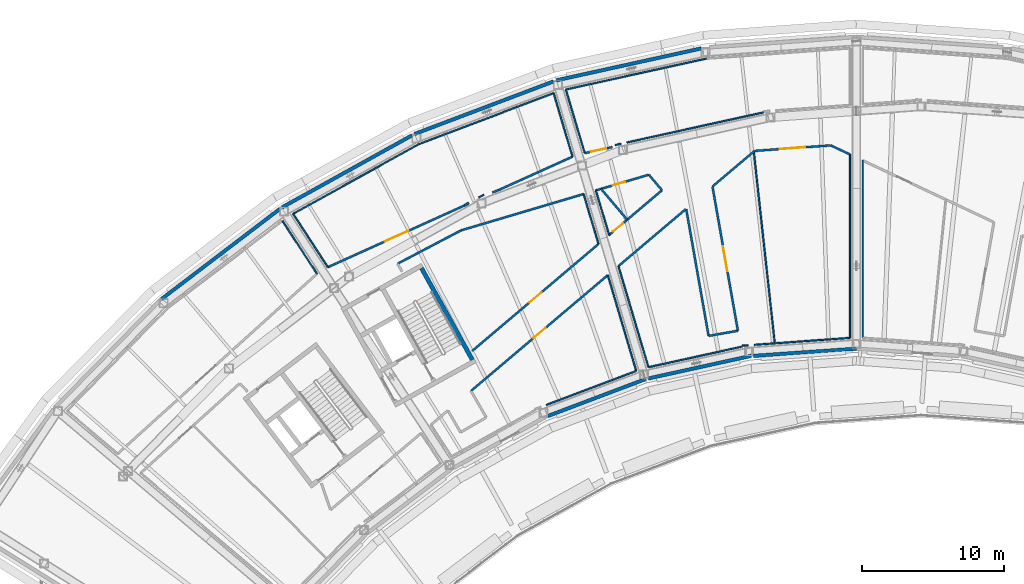
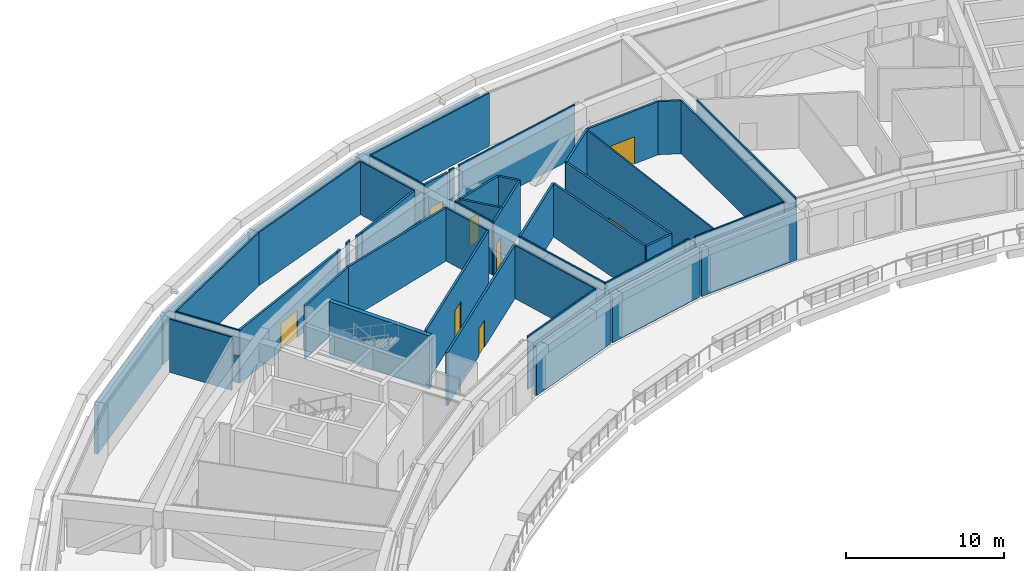
# One storey, part 8 of 24: 49 walls, 8 doors, 8 openings.
"""IFC4 building model written with IfcOpenShell, lengths in metres."""

import ifcopenshell
import ifcopenshell.guid

model = None  # the IFC model being written
_history = None  # IfcOwnerHistory: only IFC2X3 demands one
_inside = {}  # id of a spatial element -> (the spatial element, [elements in it])
_under = {}  # id of a project, library or spatial element -> (it, [spatial elements below it])
_declared = {}  # id of a project -> (the project, [libraries it declares])
_typed = {}  # id of a type object -> (the type object, [elements of that type])
_made_of = {}  # id of a material, layer set ... -> (it, [elements and type objects made of it])


def new_model(schema):
    """Start an empty IFC model of exactly this schema.

    Asked for "IFC4X3", IfcOpenShell would pick the latest addendum, in which some entities
    have other attributes; the version numbers below select the first issue.
    IFC2X3 requires an IfcOwnerHistory on every rooted entity: one is made here for all.
    """
    global model, _history
    if schema == "IFC4X3":
        model = ifcopenshell.file(schema_version=(4, 3, 0, 0))
    else:
        model = ifcopenshell.file(schema=schema)
    _inside.clear()
    _under.clear()
    _declared.clear()
    _typed.clear()
    _made_of.clear()
    _history = None
    if model.schema == "IFC2X3":
        org = make("IfcOrganization", Name="unknown")
        user = make(
            "IfcPersonAndOrganization",
            ThePerson=make("IfcPerson", FamilyName="unknown"),
            TheOrganization=org,
        )
        app = make(
            "IfcApplication",
            ApplicationDeveloper=org,
            Version="unknown",
            ApplicationFullName="unknown",
            ApplicationIdentifier="unknown",
        )
        _history = make(
            "IfcOwnerHistory",
            OwningUser=user,
            OwningApplication=app,
            ChangeAction="ADDED",
            CreationDate=0,
        )
    return model


def make(cls, **values):
    """One entity of the class cls with the attributes given. An attribute that is None is left unset."""
    return model.create_entity(
        cls, **{name: value for name, value in values.items() if value is not None}
    )


def rooted(cls, **values):
    """An entity with a GlobalId (a new one), such as an element, a storey or a relation."""
    return make(cls, GlobalId=ifcopenshell.guid.new(), OwnerHistory=_history, **values)


def si_unit(unit_type, name, prefix=None):
    """IfcSIUnit, for example si_unit("LENGTHUNIT", "METRE", prefix="MILLI")."""
    return make("IfcSIUnit", UnitType=unit_type, Prefix=prefix, Name=name)


def assignment(units):
    """IfcUnitAssignment: the units of a project."""
    return None if units is None else make("IfcUnitAssignment", Units=units)


def point(xyz):
    """IfcCartesianPoint."""
    return None if xyz is None else make("IfcCartesianPoint", Coordinates=xyz)


def direction(xyz):
    """IfcDirection."""
    return None if xyz is None else make("IfcDirection", DirectionRatios=xyz)


def frame(location, z_axis=None, x_axis=None):
    """IfcAxis2Placement3D, a coordinate frame: its origin and axes. An axis left out is left unset."""
    return make(
        "IfcAxis2Placement3D",
        Location=point(location),
        Axis=direction(z_axis),
        RefDirection=direction(x_axis),
    )


def frame_2d(location, x_axis=None):
    """IfcAxis2Placement2D, a coordinate frame in the plane: its origin and x axis."""
    return make(
        "IfcAxis2Placement2D", Location=point(location), RefDirection=direction(x_axis)
    )


def origin():
    """The frame at (0, 0, 0) with its axes left unset."""
    return frame((0.0, 0.0, 0.0))


def place(relative_to, where):
    """IfcLocalPlacement: puts the frame where relative to a parent placement (None: the world)."""
    return make(
        "IfcLocalPlacement", PlacementRelTo=relative_to, RelativePlacement=where
    )


def context(
    kind, dimensions, precision=None, world=None, true_north=None, identifier=None
):
    """IfcGeometricRepresentationContext, for example the 3D "Model" context."""
    return make(
        "IfcGeometricRepresentationContext",
        ContextIdentifier=identifier,
        ContextType=kind,
        CoordinateSpaceDimension=dimensions,
        Precision=precision,
        WorldCoordinateSystem=world,
        TrueNorth=true_north,
    )


def subcontext(parent, identifier, kind, view, scale=None):
    """IfcGeometricRepresentationSubContext, for example "Body" below "Model"."""
    return make(
        "IfcGeometricRepresentationSubContext",
        ContextIdentifier=identifier,
        ContextType=kind,
        ParentContext=parent,
        TargetScale=scale,
        TargetView=view,
    )


def project(units=None, contexts=None):
    """IfcProject with its units and contexts."""
    return rooted(
        "IfcProject",
        Name="project",
        RepresentationContexts=contexts,
        UnitsInContext=assignment(units),
    )


def spatial(cls, under=None, at=None, **own):
    """A site, building, storey or space (cls), placed at a placement, below another one or the project."""
    s = rooted(cls, ObjectPlacement=at, **own)
    if under is not None:
        _under.setdefault(under.id(), (under, []))[1].append(s)
    return s


def profile(cls, at=None, kind="AREA", **sizes):
    """A parametric profile (cls). Its sizes go by their IFC names, for example OverallWidth=200.0."""
    return make(cls, ProfileType=kind, Position=at, **sizes)


def rectangle(**sizes):
    """IfcRectangleProfileDef."""
    return profile("IfcRectangleProfileDef", **sizes)


def extrude(swept, where, along, depth):
    """IfcExtrudedAreaSolid: the profile swept, set in the frame where, extruded along a direction by depth."""
    return make(
        "IfcExtrudedAreaSolid",
        SweptArea=swept,
        Position=where,
        ExtrudedDirection=direction(along),
        Depth=depth,
    )


def shape(context_of_items, identifier, shape_type, items):
    """IfcShapeRepresentation: the items that make up one representation, for example the "Body"."""
    return make(
        "IfcShapeRepresentation",
        ContextOfItems=context_of_items,
        RepresentationIdentifier=identifier,
        RepresentationType=shape_type,
        Items=items,
    )


def material(Name=None, Category=None):
    """IfcMaterial."""
    return make("IfcMaterial", Name=Name, Category=Category)


def layer(
    of_material, thickness, ventilated=None, Name=None, Category=None, Priority=None
):
    """IfcMaterialLayer: one layer of a wall or slab, of a material (None: an air gap)."""
    return make(
        "IfcMaterialLayer",
        Material=of_material,
        LayerThickness=thickness,
        IsVentilated=ventilated,
        Name=Name,
        Category=Category,
        Priority=Priority,
    )


def layer_set(layers, Name=None):
    """IfcMaterialLayerSet."""
    return make("IfcMaterialLayerSet", MaterialLayers=layers, LayerSetName=Name)


def made_of(thing, what):
    """Note that an element or type object is made of a material, layer set ...; save() writes the relation."""
    if what is not None:
        _made_of.setdefault(what.id(), (what, []))[1].append(thing)
    return thing


def type_object(cls, material=None, **own):
    """A type object (cls), such as IfcWallType, which elements share."""
    return made_of(rooted(cls, **own), material)


def element(
    cls,
    number,
    at=None,
    inside=None,
    cuts=None,
    type_object=None,
    material=None,
    context=None,
    identifier="Body",
    shape_type=None,
    held_by="IfcProductDefinitionShape",
    body=None,
    shapes=None,
    **own,
):
    """One element of the class cls, such as IfcWall. Its Tag is "e" and its number.

    at: its placement. inside: the storey or other place that contains it. cuts: it is an
    opening in that element (IfcRelVoidsElement). A single representation is given by context,
    identifier, shape_type and body (its items); several are given by shapes. held_by: the class
    of the entity that holds the representations. save() writes the other relations.
    """
    e = rooted(cls, Tag="e%d" % number, ObjectPlacement=at, **own)
    if body is not None:
        shapes = [shape(context, identifier, shape_type, body)]
    if shapes is not None:
        e.Representation = make(held_by, Representations=shapes)
    if inside is not None:
        _inside.setdefault(inside.id(), (inside, []))[1].append(e)
    if cuts is not None:
        rooted(
            "IfcRelVoidsElement", RelatingBuildingElement=cuts, RelatedOpeningElement=e
        )
    if type_object is not None:
        _typed.setdefault(type_object.id(), (type_object, []))[1].append(e)
    return made_of(e, material)


def fill(opening, filler):
    """IfcRelFillsElement: the door or window that sits in an opening."""
    return rooted(
        "IfcRelFillsElement",
        RelatingOpeningElement=opening,
        RelatedBuildingElement=filler,
    )


def aggregate(whole, parts):
    """IfcRelAggregates: a whole, such as a stair, and the parts it consists of."""
    return rooted("IfcRelAggregates", RelatingObject=whole, RelatedObjects=parts)


def save(model, path):
    """Write the relations noted so far, then the file.

    IfcRelAggregates (storeys below a building ...), IfcRelContainedInSpatialStructure (elements
    in a storey), IfcRelDefinesByType, IfcRelAssociatesMaterial and IfcRelDeclares: one each for
    every whole, place, type object, material and project.
    """
    for whole, parts in _under.values():
        aggregate(whole, parts)
    for where, things in _inside.values():
        rooted(
            "IfcRelContainedInSpatialStructure",
            RelatedElements=things,
            RelatingStructure=where,
        )
    for kind, things in _typed.values():
        rooted("IfcRelDefinesByType", RelatedObjects=things, RelatingType=kind)
    for what, things in _made_of.values():
        rooted("IfcRelAssociatesMaterial", RelatedObjects=things, RelatingMaterial=what)
    for by, libraries in _declared.values():
        rooted("IfcRelDeclares", RelatingContext=by, RelatedDefinitions=libraries)
    model.write(path)


model = new_model("IFC4")

# Units and contexts
model_context = context("Model", 3, precision=1e-05, world=origin(), true_north=direction((0.0, 1.0)))
body_context = subcontext(model_context, "Body", "Model", "MODEL_VIEW")
ifc_project = project(units=[si_unit("LENGTHUNIT", "METRE"), si_unit("AREAUNIT", "SQUARE_METRE"), si_unit("VOLUMEUNIT", "CUBIC_METRE"), si_unit("PLANEANGLEUNIT", "RADIAN"), si_unit("MASSUNIT", "GRAM", prefix="KILO")], contexts=[model_context])

# Site, building, storey
site_placement = place(None, origin())
site = spatial("IfcSite", under=ifc_project, at=site_placement, CompositionType="ELEMENT")
building_placement = place(site_placement, origin())
building = spatial("IfcBuilding", under=site, at=building_placement, Name="Tuul Gate Civic Tower", CompositionType="ELEMENT")
storey_placement = place(building_placement, frame((0.0, 0.0, 315.199951171875)))
storey = spatial("IfcBuildingStorey", under=building, at=storey_placement, Name="Plant and refuge floor 7", CompositionType="ELEMENT", Elevation=315.199951171875)

# Walls
ifc_material_1 = material(Name="Concrete C50/60", Category="concrete")
ifc_layer_1 = layer(ifc_material_1, 0.300048828125)
ifc_layer_set_1 = layer_set([ifc_layer_1], Name="Concrete C50/60")
wall_type_1 = type_object("IfcWallType", Name="Core wall C50/60", PredefinedType="SHEAR", material=ifc_layer_set_1)
wall_1_placement = place(storey_placement, frame((-24.91552734375, -8.6572265625, 0.0), z_axis=(0.0, 0.0, 1.0), x_axis=(-0.484777133038, 0.874637714304, 0.0)))
element("IfcWall", 1, at=wall_1_placement, inside=storey, type_object=wall_type_1, Name="Core wall", PredefinedType="SHEAR", context=body_context, shape_type="SweptSolid", body=[
    extrude(rectangle(XDim=7.400146484375, YDim=0.300048828125, at=frame_2d((3.7001953125, 0.0))), origin(), (0.0, 0.0, 1.0), 4.10009765625),
])
ifc_material_2 = material(Name="Gypsum board partition")
ifc_layer_2 = layer(ifc_material_2, 0.14990234375)
ifc_layer_set_2 = layer_set([ifc_layer_2], Name="Gypsum board partition")
wall_type_2 = type_object("IfcWallType", Name="Corridor wall P150", PredefinedType="PARTITIONING", material=ifc_layer_set_2)
wall_2_placement = place(storey_placement, frame((-15.833251953125, 3.416015625, 0.0), z_axis=(0.0, 0.0, 1.0), x_axis=(0.646129557945, -0.763227747366, 0.0)))
element("IfcWall", 2, at=wall_2_placement, inside=storey, type_object=wall_type_2, Name="p019", PredefinedType="PARTITIONING", context=body_context, shape_type="SweptSolid", body=[
    extrude(rectangle(XDim=2.862548828125, YDim=0.14990234375, at=frame_2d((1.43115234375, 0.0))), origin(), (0.0, 0.0, 1.0), 4.10009765625),
])
wall_3_placement = place(storey_placement, frame((-25.708251953125, 0.480224609375, 0.0), z_axis=(0.0, 0.0, 1.0), x_axis=(0.958777360943, 0.284158357511, 0.0)))
element("IfcWall", 3, at=wall_3_placement, inside=storey, type_object=wall_type_2, Name="p020", PredefinedType="PARTITIONING", context=body_context, shape_type="SweptSolid", body=[
    extrude(rectangle(XDim=9.021240234375, YDim=0.14990234375, at=frame_2d((4.5107421875, 0.0))), origin(), (0.0, 0.0, 1.0), 4.10009765625),
])

# Wall, opening, door
wall_4_placement = place(storey_placement, frame((-16.224609375, 3.291015625, 0.0), z_axis=(0.0, 0.0, 1.0), x_axis=(0.958771174659, 0.28417922979, 0.0)))
wall_4 = element("IfcWall", 4, at=wall_4_placement, inside=storey, type_object=wall_type_2, Name="p021", PredefinedType="PARTITIONING", context=body_context, shape_type="SweptSolid", body=[
    extrude(rectangle(XDim=3.93212890625, YDim=0.14990234375, at=frame_2d((1.966064453125, 0.0))), origin(), (0.0, 0.0, 1.0), 4.10009765625),
])
opening_1_placement = place(wall_4_placement, frame((1.27294921875, 0.0, 0.0)))
opening_1 = element("IfcOpeningElement", 5, at=opening_1_placement, cuts=wall_4, Name="Opening PC-D04", PredefinedType="OPENING", context=body_context, shape_type="SweptSolid", body=[
    extrude(rectangle(XDim=0.89990234375, YDim=2.10009765625, at=frame_2d((0.449951171875, 1.050048828125))), frame((0.0, 0.0849609375, 0.0), z_axis=(0.0, -1.0, 0.0), x_axis=(1.0, 0.0, 0.0)), (0.0, 0.0, 1.0), 0.169921875),
])
ifc_material_3 = material(Name="Timber door leaf", Category="wood")
door_type_1 = type_object("IfcDoorType", Name="Door D09", OperationType="NOTDEFINED", PredefinedType="DOOR", material=ifc_material_3)
door_1_placement = place(opening_1_placement, origin())
door_1 = element("IfcDoor", 6, at=door_1_placement, inside=storey, type_object=door_type_1, Name="Door PC-D04", OperationType="SINGLE_SWING_RIGHT", OverallHeight=2.10009765625, OverallWidth=0.89990234375, PredefinedType="DOOR", context=body_context, shape_type="SweptSolid", body=[
    extrude(rectangle(XDim=0.89990234375, YDim=2.10009765625, at=frame_2d((0.449951171875, 1.050048828125))), frame((0.0, 0.02490234375, 0.0), z_axis=(0.0, -1.0, 0.0), x_axis=(1.0, 0.0, 0.0)), (0.0, 0.0, 1.0), 0.050048828125),
])
fill(opening_1, door_1)

# Wall
wall_5_placement = place(storey_placement, frame((-12.45458984375, 4.408447265625, 0.0), z_axis=(0.0, 0.0, 1.0), x_axis=(0.646147861395, -0.763212251745, 0.0)))
element("IfcWall", 7, at=wall_5_placement, inside=storey, type_object=wall_type_2, Name="p022", PredefinedType="PARTITIONING", context=body_context, shape_type="SweptSolid", body=[
    extrude(rectangle(XDim=1.43701171875, YDim=0.14990234375, at=frame_2d((0.718505859375, 0.0))), origin(), (0.0, 0.0, 1.0), 4.10009765625),
])

# Wall, opening, door
wall_6_placement = place(storey_placement, frame((-24.920654296875, -8.0283203125, 0.0), z_axis=(0.0, 0.0, 1.0), x_axis=(0.763214156963, 0.646145610997, 0.0)))
wall_6 = element("IfcWall", 8, at=wall_6_placement, inside=storey, type_object=wall_type_2, Name="p023", PredefinedType="PARTITIONING", context=body_context, shape_type="SweptSolid", body=[
    extrude(rectangle(XDim=11.676513671875, YDim=0.14990234375, at=frame_2d((5.83837890625, 0.0))), origin(), (0.0, 0.0, 1.0), 4.10009765625),
])
opening_2_placement = place(wall_6_placement, frame((5.2880859375, 0.0, 0.0)))
opening_2 = element("IfcOpeningElement", 9, at=opening_2_placement, cuts=wall_6, Name="Opening PC-D17", PredefinedType="OPENING", context=body_context, shape_type="SweptSolid", body=[
    extrude(rectangle(XDim=1.10009765625, YDim=2.10009765625, at=frame_2d((0.550048828125, 1.050048828125))), frame((0.0, 0.0849609375, 0.0), z_axis=(0.0, -1.0, 0.0), x_axis=(1.0, 0.0, 0.0)), (0.0, 0.0, 1.0), 0.169921875),
])
ifc_material_4 = material(Name="Timber door leaf", Category="wood")
door_type_2 = type_object("IfcDoorType", Name="Door D11", OperationType="NOTDEFINED", PredefinedType="DOOR", material=ifc_material_4)
door_2_placement = place(opening_2_placement, origin())
door_2 = element("IfcDoor", 10, at=door_2_placement, inside=storey, type_object=door_type_2, Name="Door PC-D17", OperationType="SINGLE_SWING_RIGHT", OverallHeight=2.10009765625, OverallWidth=1.10009765625, PredefinedType="DOOR", context=body_context, shape_type="SweptSolid", body=[
    extrude(rectangle(XDim=1.10009765625, YDim=2.10009765625, at=frame_2d((0.550048828125, 1.050048828125))), frame((0.0, 0.02490234375, 0.0), z_axis=(0.0, -1.0, 0.0), x_axis=(1.0, 0.0, 0.0)), (0.0, 0.0, 1.0), 0.050048828125),
])
fill(opening_2, door_2)

wall_7_placement = place(storey_placement, frame((-15.2841796875, 0.130126953125, 0.0), z_axis=(0.0, 0.0, 1.0), x_axis=(0.763211353607, 0.646148922251, 0.0)))
wall_7 = element("IfcWall", 11, at=wall_7_placement, inside=storey, type_object=wall_type_2, Name="p024", PredefinedType="PARTITIONING", context=body_context, shape_type="SweptSolid", body=[
    extrude(rectangle(XDim=4.924072265625, YDim=0.14990234375, at=frame_2d((2.4619140625, 0.0))), origin(), (0.0, 0.0, 1.0), 4.10009765625),
])
opening_3_placement = place(wall_7_placement, frame((0.4013671875, 0.0, 0.0)))
opening_3 = element("IfcOpeningElement", 12, at=opening_3_placement, cuts=wall_7, Name="Opening PC-D21", PredefinedType="OPENING", context=body_context, shape_type="SweptSolid", body=[
    extrude(rectangle(XDim=0.89990234375, YDim=2.10009765625, at=frame_2d((0.449951171875, 1.050048828125))), frame((0.0, 0.0849609375, 0.0), z_axis=(0.0, -1.0, 0.0), x_axis=(1.0, 0.0, 0.0)), (0.0, 0.0, 1.0), 0.169921875),
])
door_3_placement = place(opening_3_placement, origin())
door_3 = element("IfcDoor", 13, at=door_3_placement, inside=storey, type_object=door_type_1, Name="Door PC-D21", OperationType="SINGLE_SWING_LEFT", OverallHeight=2.10009765625, OverallWidth=0.89990234375, PredefinedType="DOOR", context=body_context, shape_type="SweptSolid", body=[
    extrude(rectangle(XDim=0.89990234375, YDim=2.10009765625, at=frame_2d((0.449951171875, 1.050048828125))), frame((0.0, 0.02490234375, 0.0), z_axis=(0.0, -1.0, 0.0), x_axis=(1.0, 0.0, 0.0)), (0.0, 0.0, 1.0), 0.050048828125),
])
fill(opening_3, door_3)

# Wall
wall_8_placement = place(storey_placement, frame((0.39111328125, 6.475830078125, 0.0), z_axis=(0.0, 0.0, 1.0), x_axis=(0.904677843159, -0.426096233376, 0.0)))
element("IfcWall", 14, at=wall_8_placement, inside=storey, type_object=wall_type_2, Name="p043", PredefinedType="PARTITIONING", context=body_context, shape_type="SweptSolid", body=[
    extrude(rectangle(XDim=1.4931640625, YDim=0.14990234375, at=frame_2d((0.74658203125, 0.0))), origin(), (0.0, 0.0, 1.0), 4.10009765625),
])

# Wall, opening, door
wall_9_placement = place(storey_placement, frame((-24.997314453125, -10.844482421875, 0.0), z_axis=(0.0, 0.0, 1.0), x_axis=(0.763222801953, 0.646135399572, 0.0)))
wall_9 = element("IfcWall", 15, at=wall_9_placement, inside=storey, type_object=wall_type_2, Name="p049", PredefinedType="PARTITIONING", context=body_context, shape_type="SweptSolid", body=[
    extrude(rectangle(XDim=12.6337890625, YDim=0.14990234375, at=frame_2d((6.31689453125, 0.0))), origin(), (0.0, 0.0, 1.0), 4.10009765625),
])
opening_4_placement = place(wall_9_placement, frame((5.766845703125, 0.0, 0.0)))
opening_4 = element("IfcOpeningElement", 16, at=opening_4_placement, cuts=wall_9, Name="Opening PC-D15", PredefinedType="OPENING", context=body_context, shape_type="SweptSolid", body=[
    extrude(rectangle(XDim=1.10009765625, YDim=2.10009765625, at=frame_2d((0.550048828125, 1.050048828125))), frame((0.0, 0.0849609375, 0.0), z_axis=(0.0, -1.0, 0.0), x_axis=(1.0, 0.0, 0.0)), (0.0, 0.0, 1.0), 0.169921875),
])
door_4_placement = place(opening_4_placement, frame((1.10009765625, 0.0, 0.0), z_axis=(0.0, 0.0, 1.0), x_axis=(-1.0, 0.0, 0.0)))
door_4 = element("IfcDoor", 17, at=door_4_placement, inside=storey, type_object=door_type_2, Name="Door PC-D15", OperationType="SINGLE_SWING_LEFT", OverallHeight=2.10009765625, OverallWidth=1.10009765625, PredefinedType="DOOR", context=body_context, shape_type="SweptSolid", body=[
    extrude(rectangle(XDim=1.10009765625, YDim=2.10009765625, at=frame_2d((0.550048828125, 1.050048828125))), frame((0.0, 0.02490234375, 0.0), z_axis=(0.0, -1.0, 0.0), x_axis=(1.0, 0.0, 0.0)), (0.0, 0.0, 1.0), 0.050048828125),
])
fill(opening_4, door_4)

# Walls
wall_10_placement = place(storey_placement, frame((-14.60498046875, -2.04638671875, 0.0), z_axis=(0.0, 0.0, 1.0), x_axis=(0.763236255323, 0.646119507956, 0.0)))
element("IfcWall", 18, at=wall_10_placement, inside=storey, type_object=wall_type_2, Name="p050", PredefinedType="PARTITIONING", context=body_context, shape_type="SweptSolid", body=[
    extrude(rectangle(XDim=6.235107421875, YDim=0.14990234375, at=frame_2d((3.11767578125, 0.0))), origin(), (0.0, 0.0, 1.0), 4.10009765625),
])
wall_11_placement = place(storey_placement, frame((-7.95556640625, 3.5830078125, 0.0), z_axis=(0.0, 0.0, 1.0), x_axis=(0.763213996757, 0.64614580023, 0.0)))
element("IfcWall", 19, at=wall_11_placement, inside=storey, type_object=wall_type_2, Name="p051", PredefinedType="PARTITIONING", context=body_context, shape_type="SweptSolid", body=[
    extrude(rectangle(XDim=3.87060546875, YDim=0.14990234375, at=frame_2d((1.935302734375, 0.0))), origin(), (0.0, 0.0, 1.0), 4.10009765625),
])

# Wall, opening, door
wall_12_placement = place(storey_placement, frame((-4.989990234375, 6.088623046875, 0.0), z_axis=(0.0, 0.0, 1.0), x_axis=(0.997385459021, 0.072265110076, 0.0)))
wall_12 = element("IfcWall", 20, at=wall_12_placement, inside=storey, type_object=wall_type_2, Name="p052", PredefinedType="PARTITIONING", context=body_context, shape_type="SweptSolid", body=[
    extrude(rectangle(XDim=5.38525390625, YDim=0.14990234375, at=frame_2d((2.692626953125, 0.0))), origin(), (0.0, 0.0, 1.0), 4.10009765625),
])
opening_5_placement = place(wall_12_placement, frame((1.79248046875, 0.0, 0.0)))
opening_5 = element("IfcOpeningElement", 21, at=opening_5_placement, cuts=wall_12, Name="Opening PC-D12", PredefinedType="OPENING", context=body_context, shape_type="SweptSolid", body=[
    extrude(rectangle(XDim=1.800048828125, YDim=2.10009765625, at=frame_2d((0.89990234375, 1.050048828125))), frame((0.0, 0.0849609375, 0.0), z_axis=(0.0, -1.0, 0.0), x_axis=(1.0, 0.0, 0.0)), (0.0, 0.0, 1.0), 0.169921875),
])
ifc_material_5 = material(Name="Timber door leaf, double", Category="wood")
door_type_3 = type_object("IfcDoorType", Name="Door D18", OperationType="DOUBLE_DOOR_SINGLE_SWING", PredefinedType="DOOR", material=ifc_material_5)
door_5_placement = place(opening_5_placement, frame((1.800048828125, 0.0, 0.0), z_axis=(0.0, 0.0, 1.0), x_axis=(-1.0, 0.0, 0.0)))
door_5 = element("IfcDoor", 22, at=door_5_placement, inside=storey, type_object=door_type_3, Name="Door PC-D12", OperationType="DOUBLE_DOOR_SINGLE_SWING", OverallHeight=2.10009765625, OverallWidth=1.800048828125, PredefinedType="DOOR", context=body_context, shape_type="SweptSolid", body=[
    extrude(rectangle(XDim=1.800048828125, YDim=2.10009765625, at=frame_2d((0.900146484375, 1.050048828125))), frame((0.0, 0.02490234375, 0.0), z_axis=(0.0, -1.0, 0.0), x_axis=(1.0, 0.0, 0.0)), (0.0, 0.0, 1.0), 0.050048828125),
])
fill(opening_5, door_5)

# Walls
wall_13_placement = place(storey_placement, frame((-9.813720703125, 1.970458984375, 0.0), z_axis=(0.0, 0.0, 1.0), x_axis=(0.173631929645, -0.984810617839, 0.0)))
element("IfcWall", 23, at=wall_13_placement, inside=storey, type_object=wall_type_2, Name="p053", PredefinedType="PARTITIONING", context=body_context, shape_type="SweptSolid", body=[
    extrude(rectangle(XDim=9.0791015625, YDim=0.14990234375, at=frame_2d((4.53955078125, 0.0))), origin(), (0.0, 0.0, 1.0), 4.10009765625),
])
wall_14_placement = place(storey_placement, frame((-8.236572265625, -6.970947265625, 0.0), z_axis=(0.0, 0.0, 1.0), x_axis=(0.98480696824, 0.173652628272, 0.0)))
element("IfcWall", 24, at=wall_14_placement, inside=storey, type_object=wall_type_2, Name="p054", PredefinedType="PARTITIONING", context=body_context, shape_type="SweptSolid", body=[
    extrude(rectangle(XDim=2.09912109375, YDim=0.14990234375, at=frame_2d((1.049560546875, 0.0))), origin(), (0.0, 0.0, 1.0), 4.10009765625),
])

# Wall, opening, door
wall_15_placement = place(storey_placement, frame((-7.96240234375, 3.564208984375, 0.0), z_axis=(0.0, 0.0, 1.0), x_axis=(0.17364237606, -0.984808775974, 0.0)))
wall_15 = element("IfcWall", 25, at=wall_15_placement, inside=storey, type_object=wall_type_2, Name="p055", PredefinedType="PARTITIONING", context=body_context, shape_type="SweptSolid", body=[
    extrude(rectangle(XDim=10.3271484375, YDim=0.14990234375, at=frame_2d((5.16357421875, 0.0))), origin(), (0.0, 0.0, 1.0), 4.10009765625),
])
opening_6_placement = place(wall_15_placement, frame((4.263427734375, 0.0, 0.0)))
opening_6 = element("IfcOpeningElement", 26, at=opening_6_placement, cuts=wall_15, Name="Opening PC-D13", PredefinedType="OPENING", context=body_context, shape_type="SweptSolid", body=[
    extrude(rectangle(XDim=1.800048828125, YDim=2.10009765625, at=frame_2d((0.89990234375, 1.050048828125))), frame((0.0, 0.0849609375, 0.0), z_axis=(0.0, -1.0, 0.0), x_axis=(1.0, 0.0, 0.0)), (0.0, 0.0, 1.0), 0.169921875),
])
door_6_placement = place(opening_6_placement, origin())
door_6 = element("IfcDoor", 27, at=door_6_placement, inside=storey, type_object=door_type_3, Name="Door PC-D13", OperationType="DOUBLE_DOOR_SINGLE_SWING", OverallHeight=2.10009765625, OverallWidth=1.800048828125, PredefinedType="DOOR", context=body_context, shape_type="SweptSolid", body=[
    extrude(rectangle(XDim=1.800048828125, YDim=2.10009765625, at=frame_2d((0.89990234375, 1.050048828125))), frame((0.0, 0.02490234375, 0.0), z_axis=(0.0, -1.0, 0.0), x_axis=(1.0, 0.0, 0.0)), (0.0, 0.0, 1.0), 0.050048828125),
])
fill(opening_6, door_6)

# Wall
wall_16_placement = place(storey_placement, frame((-23.500244140625, 3.159423828125, 0.0), z_axis=(0.0, 0.0, 1.0), x_axis=(0.935295406252, 0.35386791751, 0.0)))
element("IfcWall", 28, at=wall_16_placement, inside=storey, type_object=wall_type_2, Name="p056", PredefinedType="PARTITIONING", context=body_context, shape_type="SweptSolid", body=[
    extrude(rectangle(XDim=0.4775390625, YDim=0.14990234375, at=frame_2d((0.23876953125, 0.0))), origin(), (0.0, 0.0, 1.0), 4.10009765625),
])

# Wall, opening, door
wall_17_placement = place(storey_placement, frame((-16.978271484375, 5.92822265625, 0.0), z_axis=(0.0, 0.0, 1.0), x_axis=(0.976109142149, 0.217280792094, 0.0)))
wall_17 = element("IfcWall", 29, at=wall_17_placement, inside=storey, type_object=wall_type_2, Name="p057", PredefinedType="PARTITIONING", context=body_context, shape_type="SweptSolid", body=[
    extrude(rectangle(XDim=1.9921875, YDim=0.14990234375, at=frame_2d((0.99609375, 0.0))), origin(), (0.0, 0.0, 1.0), 4.10009765625),
])
opening_7_placement = place(wall_17_placement, frame((0.446044921875, 0.0, 0.0)))
opening_7 = element("IfcOpeningElement", 30, at=opening_7_placement, cuts=wall_17, Name="Opening PC-D14", PredefinedType="OPENING", context=body_context, shape_type="SweptSolid", body=[
    extrude(rectangle(XDim=1.10009765625, YDim=2.10009765625, at=frame_2d((0.550048828125, 1.050048828125))), frame((0.0, 0.0849609375, 0.0), z_axis=(0.0, -1.0, 0.0), x_axis=(1.0, 0.0, 0.0)), (0.0, 0.0, 1.0), 0.169921875),
])
door_7_placement = place(opening_7_placement, origin())
door_7 = element("IfcDoor", 31, at=door_7_placement, inside=storey, type_object=door_type_2, Name="Door PC-D14", OperationType="SINGLE_SWING_LEFT", OverallHeight=2.10009765625, OverallWidth=1.10009765625, PredefinedType="DOOR", context=body_context, shape_type="SweptSolid", body=[
    extrude(rectangle(XDim=1.10009765625, YDim=2.10009765625, at=frame_2d((0.550048828125, 1.050048828125))), frame((0.0, 0.02490234375, 0.0), z_axis=(0.0, -1.0, 0.0), x_axis=(1.0, 0.0, 0.0)), (0.0, 0.0, 1.0), 0.050048828125),
])
fill(opening_7, door_7)

# Wall
wall_18_placement = place(storey_placement, frame((-25.481201171875, 2.2314453125, 0.0), z_axis=(0.0, 0.0, 1.0), x_axis=(0.874752344998, 0.484570257981, 0.0)))
element("IfcWall", 32, at=wall_18_placement, inside=storey, type_object=wall_type_2, Name="p062", PredefinedType="PARTITIONING", context=body_context, shape_type="SweptSolid", body=[
    extrude(rectangle(XDim=0.3671875, YDim=0.14990234375, at=frame_2d((0.18359375, 0.0))), origin(), (0.0, 0.0, 1.0), 4.10009765625),
])

# Wall, opening, door
wall_19_placement = place(storey_placement, frame((-35.1103515625, -2.119384765625, 0.0), z_axis=(0.0, 0.0, 1.0), x_axis=(0.911293140087, 0.411758197041, 0.0)))
wall_19 = element("IfcWall", 33, at=wall_19_placement, inside=storey, type_object=wall_type_2, Name="p063", PredefinedType="PARTITIONING", context=body_context, shape_type="SweptSolid", body=[
    extrude(rectangle(XDim=10.56640625, YDim=0.14990234375, at=frame_2d((5.283203125, 0.0))), origin(), (0.0, 0.0, 1.0), 4.10009765625),
])
opening_8_placement = place(wall_19_placement, frame((4.43310546875, 0.0, 0.0)))
opening_8 = element("IfcOpeningElement", 34, at=opening_8_placement, cuts=wall_19, Name="Opening PC-D16", PredefinedType="OPENING", context=body_context, shape_type="SweptSolid", body=[
    extrude(rectangle(XDim=1.800048828125, YDim=2.10009765625, at=frame_2d((0.89990234375, 1.050048828125))), frame((0.0, 0.0849609375, 0.0), z_axis=(0.0, -1.0, 0.0), x_axis=(1.0, 0.0, 0.0)), (0.0, 0.0, 1.0), 0.169921875),
])
door_8_placement = place(opening_8_placement, origin())
door_8 = element("IfcDoor", 35, at=door_8_placement, inside=storey, type_object=door_type_3, Name="Door PC-D16", OperationType="DOUBLE_DOOR_SINGLE_SWING", OverallHeight=2.10009765625, OverallWidth=1.800048828125, PredefinedType="DOOR", context=body_context, shape_type="SweptSolid", body=[
    extrude(rectangle(XDim=1.800048828125, YDim=2.10009765625, at=frame_2d((0.89990234375, 1.050048828125))), frame((0.0, 0.02490234375, 0.0), z_axis=(0.0, -1.0, 0.0), x_axis=(1.0, 0.0, 0.0)), (0.0, 0.0, 1.0), 0.050048828125),
])
fill(opening_8, door_8)

# Walls
wall_20_placement = place(storey_placement, frame((-23.0537109375, 3.328369140625, 0.0), z_axis=(0.0, 0.0, 1.0), x_axis=(0.911289969788, 0.411765213398, 0.0)))
element("IfcWall", 36, at=wall_20_placement, inside=storey, type_object=wall_type_2, Name="p064", PredefinedType="PARTITIONING", context=body_context, shape_type="SweptSolid", body=[
    extrude(rectangle(XDim=5.716796875, YDim=0.14990234375, at=frame_2d((2.8583984375, 0.0))), origin(), (0.0, 0.0, 1.0), 4.10009765625),
])
wall_21_placement = place(storey_placement, frame((-30.1767578125, -1.86474609375, 0.0), z_axis=(0.0, 0.0, 1.0), x_axis=(0.885441737103, 0.464750395585, 0.0)))
element("IfcWall", 37, at=wall_21_placement, inside=storey, type_object=wall_type_2, Name="p065", PredefinedType="PARTITIONING", context=body_context, shape_type="SweptSolid", body=[
    extrude(rectangle(XDim=5.04248046875, YDim=0.14990234375, at=frame_2d((2.521240234375, 0.0))), origin(), (0.0, 0.0, 1.0), 4.10009765625),
])
ifc_material_6 = material(Name="Precast concrete C40/50", Category="concrete")
ifc_layer_3 = layer(ifc_material_6, 0.25)
ifc_layer_set_3 = layer_set([ifc_layer_3], Name="Precast concrete C40/50")
wall_type_3 = type_object("IfcWallType", Name="External wall", PredefinedType="STANDARD", material=ifc_layer_set_3)
wall_22_placement = place(storey_placement, frame((-8.757080078125, 13.3232421875, 0.0), z_axis=(0.0, 0.0, 1.0), x_axis=(-0.97656531181, -0.215221262356, 0.0)))
element("IfcWall", 38, at=wall_22_placement, inside=storey, type_object=wall_type_3, Name="External wall", PredefinedType="STANDARD", context=body_context, shape_type="SweptSolid", body=[
    extrude(rectangle(XDim=10.468017578125, YDim=0.25, at=frame_2d((5.23388671875, 0.0))), origin(), (0.0, 0.0, 1.0), 3.75),
])
wall_23_placement = place(storey_placement, frame((-19.18505859375, 10.992431640625, 0.0), z_axis=(0.0, 0.0, 1.0), x_axis=(-0.935341215918, -0.353746815964, 0.0)))
element("IfcWall", 39, at=wall_23_placement, inside=storey, type_object=wall_type_3, Name="External wall", PredefinedType="STANDARD", context=body_context, shape_type="SweptSolid", body=[
    extrude(rectangle(XDim=10.489013671875, YDim=0.25, at=frame_2d((5.24462890625, 0.0))), origin(), (0.0, 0.0, 1.0), 3.75),
])
wall_24_placement = place(storey_placement, frame((-29.172119140625, 7.1865234375, 0.0), z_axis=(0.0, 0.0, 1.0), x_axis=(-0.874628192599, -0.484794311756, 0.0)))
element("IfcWall", 40, at=wall_24_placement, inside=storey, type_object=wall_type_3, Name="External wall", PredefinedType="STANDARD", context=body_context, shape_type="SweptSolid", body=[
    extrude(rectangle(XDim=10.48193359375, YDim=0.25, at=frame_2d((5.240966796875, 0.0))), origin(), (0.0, 0.0, 1.0), 3.75),
])
wall_25_placement = place(storey_placement, frame((-38.510009765625, 1.985595703125, 0.0), z_axis=(0.0, 0.0, 1.0), x_axis=(-0.795609236307, -0.605810154342, 0.0)))
element("IfcWall", 41, at=wall_25_placement, inside=storey, type_object=wall_type_3, Name="External wall", PredefinedType="STANDARD", context=body_context, shape_type="SweptSolid", body=[
    extrude(rectangle(XDim=10.4794921875, YDim=0.25, at=frame_2d((5.23974609375, 0.0))), origin(), (0.0, 0.0, 1.0), 3.75),
])
wall_26_placement = place(storey_placement, frame((-19.594970703125, -12.6298828125, 0.0), z_axis=(0.0, 0.0, 1.0), x_axis=(0.935358477695, 0.353701170771, 0.0)))
element("IfcWall", 42, at=wall_26_placement, inside=storey, type_object=wall_type_3, Name="External wall", PredefinedType="STANDARD", context=body_context, shape_type="SweptSolid", body=[
    extrude(rectangle(XDim=7.406982421875, YDim=0.25, at=frame_2d((3.70361328125, 0.0))), origin(), (0.0, 0.0, 1.0), 3.75),
])
wall_27_placement = place(storey_placement, frame((-12.493896484375, -9.977294921875, 0.0), z_axis=(0.0, 0.0, 1.0), x_axis=(0.976558805875, 0.215250780877, 0.0)))
element("IfcWall", 43, at=wall_27_placement, inside=storey, type_object=wall_type_3, Name="External wall", PredefinedType="STANDARD", context=body_context, shape_type="SweptSolid", body=[
    extrude(rectangle(XDim=7.434814453125, YDim=0.25, at=frame_2d((3.71728515625, 0.0))), origin(), (0.0, 0.0, 1.0), 3.75),
])
wall_28_placement = place(storey_placement, frame((-5.071044921875, -8.3798828125, 0.0), z_axis=(0.0, 0.0, 1.0), x_axis=(0.997594877423, 0.069314215995, 0.0)))
element("IfcWall", 44, at=wall_28_placement, inside=storey, type_object=wall_type_3, Name="External wall", PredefinedType="STANDARD", context=body_context, shape_type="SweptSolid", body=[
    extrude(rectangle(XDim=7.280517578125, YDim=0.25, at=frame_2d((3.64013671875, 0.0))), origin(), (0.0, 0.0, 1.0), 3.75),
])
ifc_material_7 = material(Name="Gypsum board partition")
ifc_layer_4 = layer(ifc_material_7, 0.10009765625)
ifc_layer_set_4 = layer_set([ifc_layer_4], Name="Gypsum board partition")
wall_type_4 = type_object("IfcWallType", Name="Partition P100", PredefinedType="PARTITIONING", material=ifc_layer_set_4)
wall_29_placement = place(storey_placement, frame((-5.048583984375, 6.0439453125, 0.0), z_axis=(0.0, 0.0, 1.0), x_axis=(0.108847545461, -0.994058454945, 0.0)))
element("IfcWall", 45, at=wall_29_placement, inside=storey, type_object=wall_type_4, Name="p046", PredefinedType="PARTITIONING", context=body_context, shape_type="SweptSolid", body=[
    extrude(rectangle(XDim=13.619140625, YDim=0.10009765625, at=frame_2d((6.8095703125, 0.0))), origin(), (0.0, 0.0, 1.0), 4.10009765625),
])
wall_30_placement = place(storey_placement, frame((2.64208984375, -7.109375, 0.0), z_axis=(0.0, 0.0, 1.0), x_axis=(0.0, 1.0, 0.0)))
element("IfcWall", 46, at=wall_30_placement, inside=storey, type_object=wall_type_4, Name="p103", PredefinedType="PARTITIONING", context=body_context, shape_type="SweptSolid", body=[
    extrude(rectangle(XDim=12.52490234375, YDim=0.10009765625, at=frame_2d((6.262451171875, 0.0))), origin(), (0.0, 0.0, 1.0), 4.10009765625),
])
wall_31_placement = place(storey_placement, frame((1.741943359375, 5.839599609375, 0.0), z_axis=(0.0, 0.0, 1.0), x_axis=(0.0, -1.0, 0.0)))
element("IfcWall", 47, at=wall_31_placement, inside=storey, type_object=wall_type_4, Name="p104", PredefinedType="PARTITIONING", context=body_context, shape_type="SweptSolid", body=[
    extrude(rectangle(XDim=12.948974609375, YDim=0.10009765625, at=frame_2d((6.474609375, 0.0))), origin(), (0.0, 0.0, 1.0), 4.10009765625),
])
wall_32_placement = place(storey_placement, frame((1.741943359375, -7.109375, 0.0), z_axis=(0.0, 0.0, 1.0), x_axis=(-0.997380470642, -0.072333925527, 0.0)))
element("IfcWall", 48, at=wall_32_placement, inside=storey, type_object=wall_type_4, Name="p105", PredefinedType="PARTITIONING", context=body_context, shape_type="SweptSolid", body=[
    extrude(rectangle(XDim=6.7841796875, YDim=0.10009765625, at=frame_2d((3.39208984375, 0.0))), origin(), (0.0, 0.0, 1.0), 4.10009765625),
])
wall_33_placement = place(storey_placement, frame((-5.445068359375, -7.630615234375, 0.0), z_axis=(0.0, 0.0, 1.0), x_axis=(-0.997407968083, -0.071953771305, 0.0)))
element("IfcWall", 49, at=wall_33_placement, inside=storey, type_object=wall_type_4, Name="p107", PredefinedType="PARTITIONING", context=body_context, shape_type="SweptSolid", body=[
    extrude(rectangle(XDim=0.417236328125, YDim=0.10009765625, at=frame_2d((0.20849609375, 0.0))), origin(), (0.0, 0.0, 1.0), 4.10009765625),
])
wall_34_placement = place(storey_placement, frame((-5.85693359375, -7.72119140625, 0.0), z_axis=(0.0, 0.0, 1.0), x_axis=(-0.976592633351, -0.215097253548, 0.0)))
element("IfcWall", 50, at=wall_34_placement, inside=storey, type_object=wall_type_4, Name="p108", PredefinedType="PARTITIONING", context=body_context, shape_type="SweptSolid", body=[
    extrude(rectangle(XDim=6.783935546875, YDim=0.10009765625, at=frame_2d((3.39208984375, 0.0))), origin(), (0.0, 0.0, 1.0), 4.10009765625),
])
wall_35_placement = place(storey_placement, frame((-12.482177734375, -9.180419921875, 0.0), z_axis=(0.0, 0.0, 1.0), x_axis=(-0.285201581359, 0.958467557088, 0.0)))
element("IfcWall", 51, at=wall_35_placement, inside=storey, type_object=wall_type_4, Name="p109", PredefinedType="PARTITIONING", context=body_context, shape_type="SweptSolid", body=[
    extrude(rectangle(XDim=7.443115234375, YDim=0.10009765625, at=frame_2d((3.7216796875, 0.0))), origin(), (0.0, 0.0, 1.0), 4.10009765625),
])
wall_36_placement = place(storey_placement, frame((-16.978271484375, 5.92822265625, 0.0), z_axis=(0.0, 0.0, 1.0), x_axis=(-0.285212029276, 0.958464448144, 0.0)))
element("IfcWall", 52, at=wall_36_placement, inside=storey, type_object=wall_type_4, Name="p110", PredefinedType="PARTITIONING", context=body_context, shape_type="SweptSolid", body=[
    extrude(rectangle(XDim=4.689208984375, YDim=0.10009765625, at=frame_2d((2.3447265625, 0.0))), origin(), (0.0, 0.0, 1.0), 4.10009765625),
])
wall_37_placement = place(storey_placement, frame((-18.315673828125, 10.422607421875, 0.0), z_axis=(0.0, 0.0, 1.0), x_axis=(0.97656544929, 0.21522063854, 0.0)))
element("IfcWall", 53, at=wall_37_placement, inside=storey, type_object=wall_type_4, Name="p111", PredefinedType="PARTITIONING", context=body_context, shape_type="SweptSolid", body=[
    extrude(rectangle(XDim=10.16162109375, YDim=0.10009765625, at=frame_2d((5.080810546875, 0.0))), origin(), (0.0, 0.0, 1.0), 4.10009765625),
])
wall_38_placement = place(storey_placement, frame((-4.337890625, 8.815673828125, 0.0), z_axis=(0.0, 0.0, 1.0), x_axis=(-0.976567393551, -0.215211816247, 0.0)))
element("IfcWall", 54, at=wall_38_placement, inside=storey, type_object=wall_type_4, Name="p116", PredefinedType="PARTITIONING", context=body_context, shape_type="SweptSolid", body=[
    extrude(rectangle(XDim=9.89892578125, YDim=0.10009765625, at=frame_2d((4.949462890625, 0.0))), origin(), (0.0, 0.0, 1.0), 4.10009765625),
])
wall_39_placement = place(storey_placement, frame((-14.416748046875, 6.594482421875, 0.0), z_axis=(0.0, 0.0, 1.0), x_axis=(-0.976543679102, -0.21531939719, 0.0)))
element("IfcWall", 55, at=wall_39_placement, inside=storey, type_object=wall_type_4, Name="p117", PredefinedType="PARTITIONING", context=body_context, shape_type="SweptSolid", body=[
    extrude(rectangle(XDim=0.417236328125, YDim=0.10009765625, at=frame_2d((0.20849609375, 0.0))), origin(), (0.0, 0.0, 1.0), 4.10009765625),
])
wall_40_placement = place(storey_placement, frame((-15.35498046875, -2.681396484375, 0.0), z_axis=(0.0, 0.0, 1.0), x_axis=(0.285199048524, -0.958468310755, 0.0)))
element("IfcWall", 56, at=wall_40_placement, inside=storey, type_object=wall_type_4, Name="p118", PredefinedType="PARTITIONING", context=body_context, shape_type="SweptSolid", body=[
    extrude(rectangle(XDim=7.048583984375, YDim=0.10009765625, at=frame_2d((3.5244140625, 0.0))), origin(), (0.0, 0.0, 1.0), 4.10009765625),
])
wall_41_placement = place(storey_placement, frame((-13.3447265625, -9.437255859375, 0.0), z_axis=(0.0, 0.0, 1.0), x_axis=(-0.935327135646, -0.353784043343, 0.0)))
element("IfcWall", 57, at=wall_41_placement, inside=storey, type_object=wall_type_4, Name="p119", PredefinedType="PARTITIONING", context=body_context, shape_type="SweptSolid", body=[
    extrude(rectangle(XDim=6.7841796875, YDim=0.10009765625, at=frame_2d((3.39208984375, 0.0))), origin(), (0.0, 0.0, 1.0), 4.10009765625),
])
wall_42_placement = place(storey_placement, frame((-24.1005859375, 2.99658203125, 0.0), z_axis=(0.0, 0.0, 1.0), x_axis=(-0.874928607607, -0.484251929879, 0.0)))
element("IfcWall", 58, at=wall_42_placement, inside=storey, type_object=wall_type_4, Name="p123", PredefinedType="PARTITIONING", context=body_context, shape_type="SweptSolid", body=[
    extrude(rectangle(XDim=0.41748046875, YDim=0.10009765625, at=frame_2d((0.208740234375, 0.0))), origin(), (0.0, 0.0, 1.0), 4.10009765625),
])
wall_43_placement = place(storey_placement, frame((-35.1103515625, -2.119384765625, 0.0), z_axis=(0.0, 0.0, 1.0), x_axis=(-0.546668501267, 0.837349120572, 0.0)))
element("IfcWall", 59, at=wall_43_placement, inside=storey, type_object=wall_type_4, Name="p124", PredefinedType="PARTITIONING", context=body_context, shape_type="SweptSolid", body=[
    extrude(rectangle(XDim=4.496826171875, YDim=0.10009765625, at=frame_2d((2.24853515625, 0.0))), origin(), (0.0, 0.0, 1.0), 4.10009765625),
])
wall_44_placement = place(storey_placement, frame((-37.568603515625, 1.64599609375, 0.0), z_axis=(0.0, 0.0, 1.0), x_axis=(0.874586498867, 0.484869524717, 0.0)))
element("IfcWall", 60, at=wall_44_placement, inside=storey, type_object=wall_type_4, Name="p125", PredefinedType="PARTITIONING", context=body_context, shape_type="SweptSolid", body=[
    extrude(rectangle(XDim=10.160400390625, YDim=0.10009765625, at=frame_2d((5.080078125, 0.0))), origin(), (0.0, 0.0, 1.0), 4.10009765625),
])
wall_45_placement = place(storey_placement, frame((-28.682373046875, 6.572509765625, 0.0), z_axis=(0.0, 0.0, 1.0), x_axis=(0.935372851847, 0.353663156165, 0.0)))
element("IfcWall", 61, at=wall_45_placement, inside=storey, type_object=wall_type_4, Name="p126", PredefinedType="PARTITIONING", context=body_context, shape_type="SweptSolid", body=[
    extrude(rectangle(XDim=10.160888671875, YDim=0.10009765625, at=frame_2d((5.08056640625, 0.0))), origin(), (0.0, 0.0, 1.0), 4.10009765625),
])
wall_46_placement = place(storey_placement, frame((-19.17822265625, 10.166015625, 0.0), z_axis=(0.0, 0.0, 1.0), x_axis=(0.285216495804, -0.95846311902, 0.0)))
element("IfcWall", 62, at=wall_46_placement, inside=storey, type_object=wall_type_4, Name="p127", PredefinedType="PARTITIONING", context=body_context, shape_type="SweptSolid", body=[
    extrude(rectangle(XDim=4.677978515625, YDim=0.10009765625, at=frame_2d((2.3388671875, 0.0))), origin(), (0.0, 0.0, 1.0), 4.10009765625),
])
wall_47_placement = place(storey_placement, frame((-17.058837890625, 3.043701171875, 0.0), z_axis=(0.0, 0.0, 1.0), x_axis=(0.285253594774, -0.958452078441, 0.0)))
element("IfcWall", 63, at=wall_47_placement, inside=storey, type_object=wall_type_4, Name="p128", PredefinedType="PARTITIONING", context=body_context, shape_type="SweptSolid", body=[
    extrude(rectangle(XDim=3.68017578125, YDim=0.10009765625, at=frame_2d((1.840087890625, 0.0))), origin(), (0.0, 0.0, 1.0), 4.10009765625),
])
wall_48_placement = place(storey_placement, frame((-38.322265625, 1.15380859375, 0.0), z_axis=(0.0, 0.0, 1.0), x_axis=(0.546702879388, -0.837326675599, 0.0)))
element("IfcWall", 64, at=wall_48_placement, inside=storey, type_object=wall_type_4, Name="p132", PredefinedType="PARTITIONING", context=body_context, shape_type="SweptSolid", body=[
    extrude(rectangle(XDim=4.466552734375, YDim=0.10009765625, at=frame_2d((2.2333984375, 0.0))), origin(), (0.0, 0.0, 1.0), 4.10009765625),
])
wall_49_placement = place(storey_placement, frame((-15.259033203125, 0.1513671875, 0.0), z_axis=(0.0, 0.0, 1.0), x_axis=(-0.285267413141, 0.958447965724, 0.0)))
element("IfcWall", 65, at=wall_49_placement, inside=storey, type_object=wall_type_4, Name="p139", PredefinedType="PARTITIONING", context=body_context, shape_type="SweptSolid", body=[
    extrude(rectangle(XDim=3.28466796875, YDim=0.10009765625, at=frame_2d((1.642333984375, 0.0))), origin(), (0.0, 0.0, 1.0), 4.10009765625),
])

save(model, "model.ifc")
